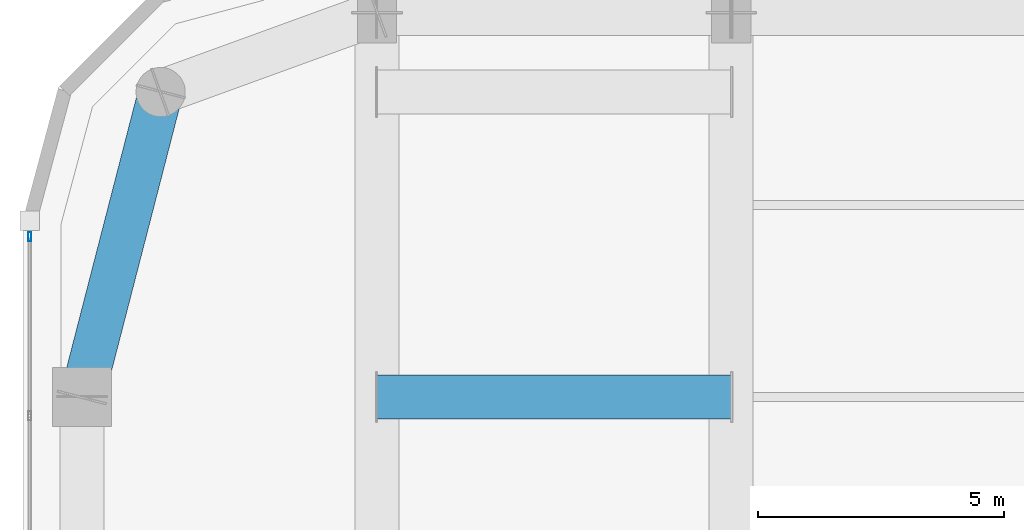
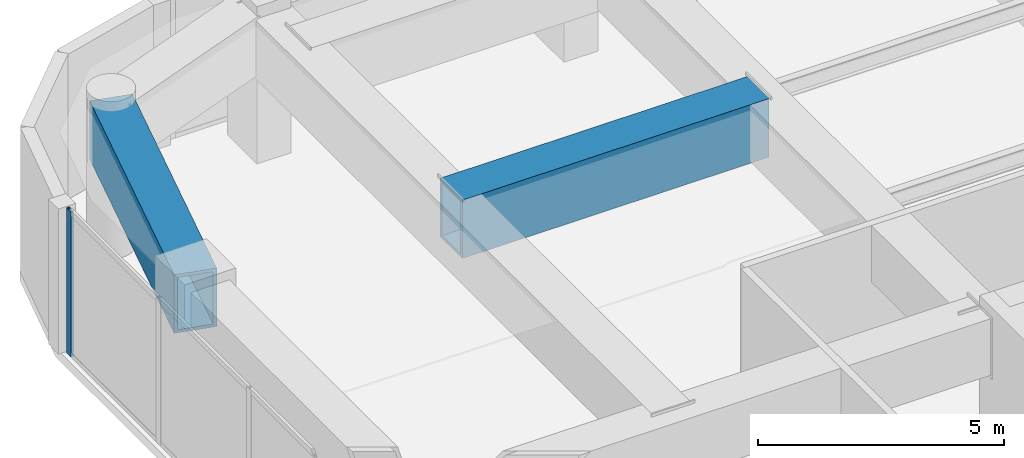
# One storey, part 15 of 30: 2 beams, 1 member, 1 element without a shape of its own.
"""IFC4 building model written with IfcOpenShell, lengths in metres."""

from ifc_helpers import new_model, si_unit, direction, frame, origin, origin_2d, place, context, subcontext, project, spatial, hollow_rectangle, extrude, material, layer, layer_set, material_profile, profile_set, type_object, element, aggregate, save


model = new_model("IFC4")

# Units and contexts
model_context = context("Model", 3, precision=1e-05, world=origin(), true_north=direction((0.0, 1.0)))
body_context = subcontext(model_context, "Body", "Model", "MODEL_VIEW")
ifc_project = project(units=[si_unit("LENGTHUNIT", "METRE"), si_unit("AREAUNIT", "SQUARE_METRE"), si_unit("VOLUMEUNIT", "CUBIC_METRE"), si_unit("PLANEANGLEUNIT", "RADIAN"), si_unit("MASSUNIT", "GRAM", prefix="KILO")], contexts=[model_context])

# Site, building, storey
site_placement = place(None, origin())
site = spatial("IfcSite", under=ifc_project, at=site_placement, CompositionType="ELEMENT")
building_placement = place(site_placement, origin())
building = spatial("IfcBuilding", under=site, at=building_placement, Name="Kiyonajd Concourse Tower", CompositionType="ELEMENT")
storey_placement = place(building_placement, frame((0.0, 0.0, 205.800048828125)))
storey = spatial("IfcBuildingStorey", under=building, at=storey_placement, Name="L52", CompositionType="ELEMENT", Elevation=205.800048828125)

# Beams
ifc_material_1 = material(Name="Steel ASTM A572 Grade 50", Category="steel")
ifc_material_profile_1 = material_profile(ifc_material_1, hollow_rectangle(XDim=0.89990234375, YDim=1.449951171875, WallThickness=0.074951171875, at=origin_2d()), Name="BOX-1450x900x75")
ifc_profile_set_1 = profile_set([ifc_material_profile_1], Name="Steel ASTM A572 Grade 50")
beam_type = type_object("IfcBeamType", Name="BM-XFER-1800", PredefinedType="BEAM", material=ifc_profile_set_1)
beam_1_placement = place(storey_placement, frame((20.800048828125, 59.60009765625, 2.93505859375), z_axis=(-0.249884937687, -0.968275538221, 0.0), x_axis=(0.968275538221, -0.249884937687, 0.0)))
element("IfcBeam", 1, at=beam_1_placement, inside=storey, type_object=beam_type, Name="L52 Perimeter Bundled Tube Spandrel", PredefinedType="BEAM", context=body_context, shape_type="SweptSolid", body=[
    extrude(hollow_rectangle(XDim=0.89990234375, YDim=1.449951171875, WallThickness=0.074951171875, at=origin_2d()), origin(), (0.0, 0.0, 1.0), 6.4033203125),
])
beam_2_placement = place(storey_placement, frame((25.199951171875, 53.39990234375, 2.875), z_axis=(1.0, 0.0, 0.0), x_axis=(0.0, 1.0, 0.0)))
element("IfcBeam", 2, at=beam_2_placement, inside=storey, type_object=beam_type, Name="L52 Column Transfer Girder", PredefinedType="BEAM", context=body_context, shape_type="SweptSolid", body=[
    extrude(hollow_rectangle(XDim=0.89990234375, YDim=1.449951171875, WallThickness=0.074951171875, at=origin_2d()), origin(), (0.0, 0.0, 1.0), 7.199951171875),
])

# Curtain wall, member
ifc_material_2 = material(Name="Thermally Broken Anodised Aluminium", Category="aluminium")
ifc_layer = layer(ifc_material_2, 0.179931640625)
ifc_layer_set = layer_set([ifc_layer], Name="Thermally Broken Anodised Aluminium")
curtain_wall_type = type_object("IfcCurtainWallType", Name="CW-SYS-03", PredefinedType="NOTDEFINED", material=ifc_layer_set)
curtain_wall_placement = place(storey_placement, origin())
curtain_wall = element("IfcCurtainWall", 3, at=curtain_wall_placement, inside=storey, type_object=curtain_wall_type, Name="L52 Unitised Curtain Wall CW3", PredefinedType="NOTDEFINED")
ifc_material_profile_2 = material_profile(ifc_material_2, hollow_rectangle(XDim=0.06494140625, YDim=0.179931640625, WallThickness=0.00390625, at=origin_2d()), Name="MULL-65x180")
ifc_profile_set_2 = profile_set([ifc_material_profile_2], Name="Thermally Broken Anodised Aluminium")
member_type = type_object("IfcMemberType", Name="MB-CW-MULL1", PredefinedType="MULLION", material=ifc_profile_set_2)
member_placement = place(storey_placement, frame((18.139892578125, 56.6591796875, 0.0), z_axis=(0.0, 0.0, 1.0), x_axis=(-1.0, 0.0, 0.0)))
member = element("IfcMember", 4, at=member_placement, type_object=member_type, Name="CW3 mullion 7", PredefinedType="MULLION", context=body_context, shape_type="SweptSolid", body=[
    extrude(hollow_rectangle(XDim=0.06494140625, YDim=0.179931640625, WallThickness=0.00390625, at=origin_2d()), origin(), (0.0, 0.0, 1.0), 3.599853515625),
])
aggregate(curtain_wall, [member])

save(model, "model.ifc")
